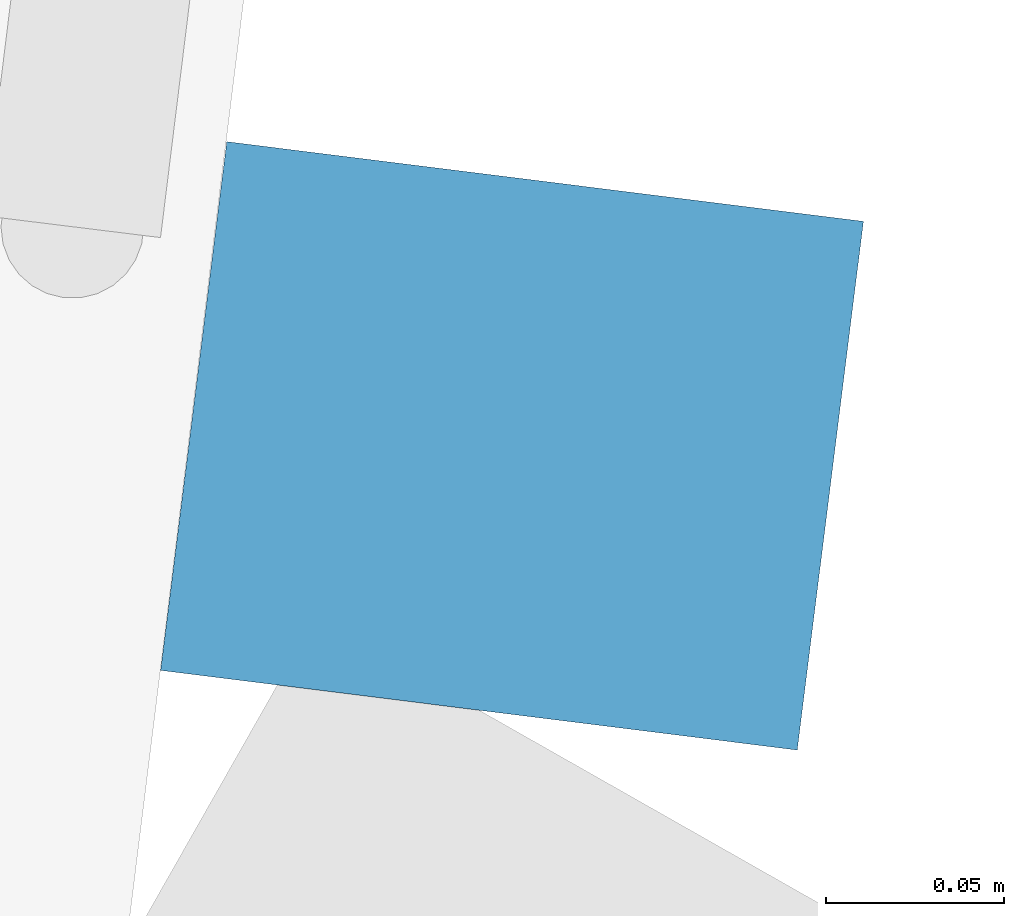
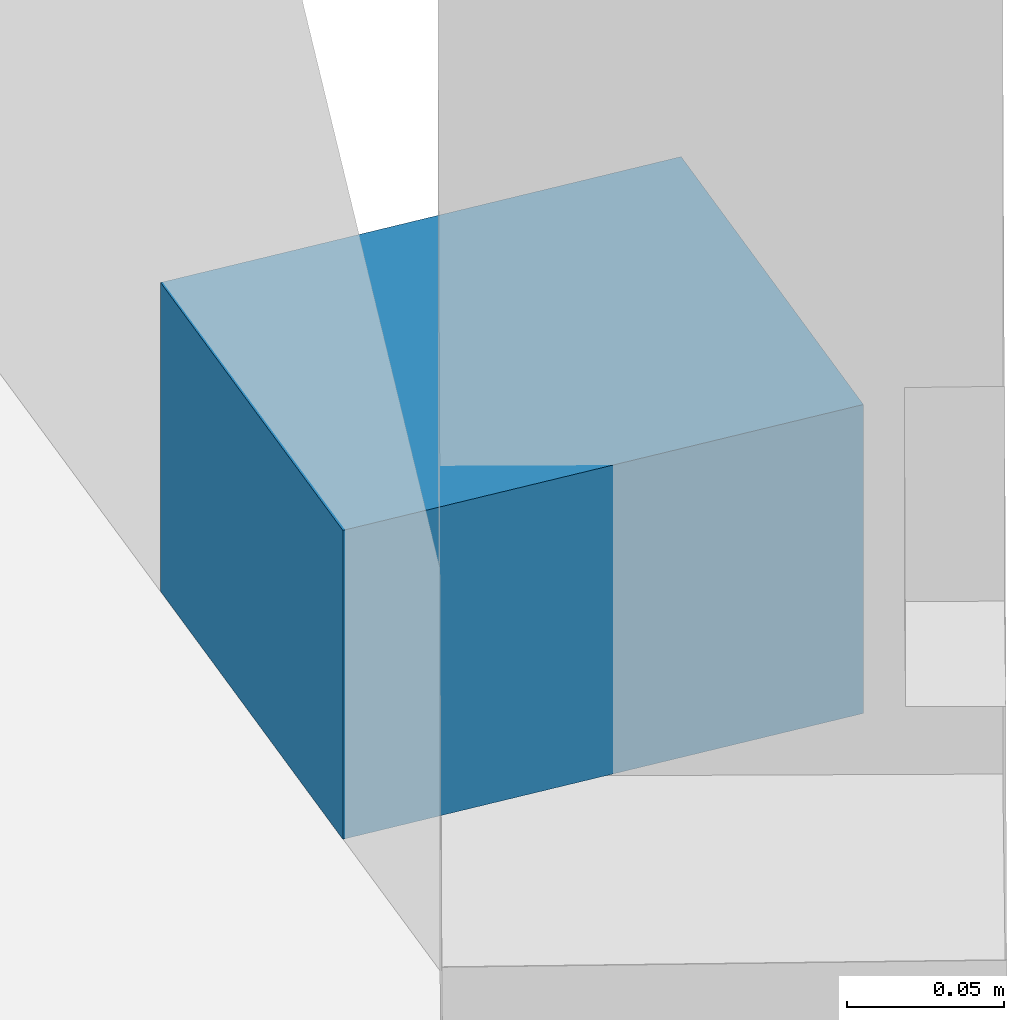
# One storey, part 13 of 24: 1 member, 1 element without a shape of its own.
"""IFC4 building model written with IfcOpenShell, lengths in metres."""

import ifcopenshell
import ifcopenshell.guid

model = None  # the IFC model being written
_history = None  # IfcOwnerHistory: only IFC2X3 demands one
_inside = {}  # id of a spatial element -> (the spatial element, [elements in it])
_under = {}  # id of a project, library or spatial element -> (it, [spatial elements below it])
_declared = {}  # id of a project -> (the project, [libraries it declares])
_typed = {}  # id of a type object -> (the type object, [elements of that type])
_made_of = {}  # id of a material, layer set ... -> (it, [elements and type objects made of it])


def new_model(schema):
    """Start an empty IFC model of exactly this schema.

    Asked for "IFC4X3", IfcOpenShell would pick the latest addendum, in which some entities
    have other attributes; the version numbers below select the first issue.
    IFC2X3 requires an IfcOwnerHistory on every rooted entity: one is made here for all.
    """
    global model, _history
    if schema == "IFC4X3":
        model = ifcopenshell.file(schema_version=(4, 3, 0, 0))
    else:
        model = ifcopenshell.file(schema=schema)
    _inside.clear()
    _under.clear()
    _declared.clear()
    _typed.clear()
    _made_of.clear()
    _history = None
    if model.schema == "IFC2X3":
        org = make("IfcOrganization", Name="unknown")
        user = make(
            "IfcPersonAndOrganization",
            ThePerson=make("IfcPerson", FamilyName="unknown"),
            TheOrganization=org,
        )
        app = make(
            "IfcApplication",
            ApplicationDeveloper=org,
            Version="unknown",
            ApplicationFullName="unknown",
            ApplicationIdentifier="unknown",
        )
        _history = make(
            "IfcOwnerHistory",
            OwningUser=user,
            OwningApplication=app,
            ChangeAction="ADDED",
            CreationDate=0,
        )
    return model


def make(cls, **values):
    """One entity of the class cls with the attributes given. An attribute that is None is left unset."""
    return model.create_entity(
        cls, **{name: value for name, value in values.items() if value is not None}
    )


def rooted(cls, **values):
    """An entity with a GlobalId (a new one), such as an element, a storey or a relation."""
    return make(cls, GlobalId=ifcopenshell.guid.new(), OwnerHistory=_history, **values)


def si_unit(unit_type, name, prefix=None):
    """IfcSIUnit, for example si_unit("LENGTHUNIT", "METRE", prefix="MILLI")."""
    return make("IfcSIUnit", UnitType=unit_type, Prefix=prefix, Name=name)


def assignment(units):
    """IfcUnitAssignment: the units of a project."""
    return None if units is None else make("IfcUnitAssignment", Units=units)


def point(xyz):
    """IfcCartesianPoint."""
    return None if xyz is None else make("IfcCartesianPoint", Coordinates=xyz)


def direction(xyz):
    """IfcDirection."""
    return None if xyz is None else make("IfcDirection", DirectionRatios=xyz)


def frame(location, z_axis=None, x_axis=None):
    """IfcAxis2Placement3D, a coordinate frame: its origin and axes. An axis left out is left unset."""
    return make(
        "IfcAxis2Placement3D",
        Location=point(location),
        Axis=direction(z_axis),
        RefDirection=direction(x_axis),
    )


def frame_2d(location, x_axis=None):
    """IfcAxis2Placement2D, a coordinate frame in the plane: its origin and x axis."""
    return make(
        "IfcAxis2Placement2D", Location=point(location), RefDirection=direction(x_axis)
    )


def origin():
    """The frame at (0, 0, 0) with its axes left unset."""
    return frame((0.0, 0.0, 0.0))


def origin_2d():
    """The frame at (0, 0) in the plane with its x axis left unset."""
    return frame_2d((0.0, 0.0))


def place(relative_to, where):
    """IfcLocalPlacement: puts the frame where relative to a parent placement (None: the world)."""
    return make(
        "IfcLocalPlacement", PlacementRelTo=relative_to, RelativePlacement=where
    )


def context(
    kind, dimensions, precision=None, world=None, true_north=None, identifier=None
):
    """IfcGeometricRepresentationContext, for example the 3D "Model" context."""
    return make(
        "IfcGeometricRepresentationContext",
        ContextIdentifier=identifier,
        ContextType=kind,
        CoordinateSpaceDimension=dimensions,
        Precision=precision,
        WorldCoordinateSystem=world,
        TrueNorth=true_north,
    )


def subcontext(parent, identifier, kind, view, scale=None):
    """IfcGeometricRepresentationSubContext, for example "Body" below "Model"."""
    return make(
        "IfcGeometricRepresentationSubContext",
        ContextIdentifier=identifier,
        ContextType=kind,
        ParentContext=parent,
        TargetScale=scale,
        TargetView=view,
    )


def project(units=None, contexts=None):
    """IfcProject with its units and contexts."""
    return rooted(
        "IfcProject",
        Name="project",
        RepresentationContexts=contexts,
        UnitsInContext=assignment(units),
    )


def spatial(cls, under=None, at=None, **own):
    """A site, building, storey or space (cls), placed at a placement, below another one or the project."""
    s = rooted(cls, ObjectPlacement=at, **own)
    if under is not None:
        _under.setdefault(under.id(), (under, []))[1].append(s)
    return s


def profile(cls, at=None, kind="AREA", **sizes):
    """A parametric profile (cls). Its sizes go by their IFC names, for example OverallWidth=200.0."""
    return make(cls, ProfileType=kind, Position=at, **sizes)


def rectangle(**sizes):
    """IfcRectangleProfileDef."""
    return profile("IfcRectangleProfileDef", **sizes)


def extrude(swept, where, along, depth):
    """IfcExtrudedAreaSolid: the profile swept, set in the frame where, extruded along a direction by depth."""
    return make(
        "IfcExtrudedAreaSolid",
        SweptArea=swept,
        Position=where,
        ExtrudedDirection=direction(along),
        Depth=depth,
    )


def shape(context_of_items, identifier, shape_type, items):
    """IfcShapeRepresentation: the items that make up one representation, for example the "Body"."""
    return make(
        "IfcShapeRepresentation",
        ContextOfItems=context_of_items,
        RepresentationIdentifier=identifier,
        RepresentationType=shape_type,
        Items=items,
    )


def material(Name=None, Category=None):
    """IfcMaterial."""
    return make("IfcMaterial", Name=Name, Category=Category)


def material_profile(
    of_material, cross_section, Name=None, Category=None, Priority=None
):
    """IfcMaterialProfile: a cross section and its material."""
    return make(
        "IfcMaterialProfile",
        Name=Name,
        Material=of_material,
        Profile=cross_section,
        Priority=Priority,
        Category=Category,
    )


def profile_set(profiles, Name=None, composite=None):
    """IfcMaterialProfileSet."""
    return make(
        "IfcMaterialProfileSet",
        Name=Name,
        MaterialProfiles=profiles,
        CompositeProfile=composite,
    )


def made_of(thing, what):
    """Note that an element or type object is made of a material, layer set ...; save() writes the relation."""
    if what is not None:
        _made_of.setdefault(what.id(), (what, []))[1].append(thing)
    return thing


def type_object(cls, material=None, **own):
    """A type object (cls), such as IfcWallType, which elements share."""
    return made_of(rooted(cls, **own), material)


def element(
    cls,
    number,
    at=None,
    inside=None,
    cuts=None,
    type_object=None,
    material=None,
    context=None,
    identifier="Body",
    shape_type=None,
    held_by="IfcProductDefinitionShape",
    body=None,
    shapes=None,
    **own,
):
    """One element of the class cls, such as IfcWall. Its Tag is "e" and its number.

    at: its placement. inside: the storey or other place that contains it. cuts: it is an
    opening in that element (IfcRelVoidsElement). A single representation is given by context,
    identifier, shape_type and body (its items); several are given by shapes. held_by: the class
    of the entity that holds the representations. save() writes the other relations.
    """
    e = rooted(cls, Tag="e%d" % number, ObjectPlacement=at, **own)
    if body is not None:
        shapes = [shape(context, identifier, shape_type, body)]
    if shapes is not None:
        e.Representation = make(held_by, Representations=shapes)
    if inside is not None:
        _inside.setdefault(inside.id(), (inside, []))[1].append(e)
    if cuts is not None:
        rooted(
            "IfcRelVoidsElement", RelatingBuildingElement=cuts, RelatedOpeningElement=e
        )
    if type_object is not None:
        _typed.setdefault(type_object.id(), (type_object, []))[1].append(e)
    return made_of(e, material)


def aggregate(whole, parts):
    """IfcRelAggregates: a whole, such as a stair, and the parts it consists of."""
    return rooted("IfcRelAggregates", RelatingObject=whole, RelatedObjects=parts)


def save(model, path):
    """Write the relations noted so far, then the file.

    IfcRelAggregates (storeys below a building ...), IfcRelContainedInSpatialStructure (elements
    in a storey), IfcRelDefinesByType, IfcRelAssociatesMaterial and IfcRelDeclares: one each for
    every whole, place, type object, material and project.
    """
    for whole, parts in _under.values():
        aggregate(whole, parts)
    for where, things in _inside.values():
        rooted(
            "IfcRelContainedInSpatialStructure",
            RelatedElements=things,
            RelatingStructure=where,
        )
    for kind, things in _typed.values():
        rooted("IfcRelDefinesByType", RelatedObjects=things, RelatingType=kind)
    for what, things in _made_of.values():
        rooted("IfcRelAssociatesMaterial", RelatedObjects=things, RelatingMaterial=what)
    for by, libraries in _declared.values():
        rooted("IfcRelDeclares", RelatingContext=by, RelatedDefinitions=libraries)
    model.write(path)


model = new_model("IFC4")

# Units and contexts
model_context = context("Model", 3, precision=1e-05, world=origin(), true_north=direction((0.0, 1.0)))
body_context = subcontext(model_context, "Body", "Model", "MODEL_VIEW")
ifc_project = project(units=[si_unit("LENGTHUNIT", "METRE"), si_unit("AREAUNIT", "SQUARE_METRE"), si_unit("VOLUMEUNIT", "CUBIC_METRE"), si_unit("PLANEANGLEUNIT", "RADIAN"), si_unit("MASSUNIT", "GRAM", prefix="KILO")], contexts=[model_context])

# Site, building, storey
site_placement = place(None, origin())
site = spatial("IfcSite", under=ifc_project, at=site_placement, CompositionType="ELEMENT")
building_placement = place(site_placement, origin())
building = spatial("IfcBuilding", under=site, at=building_placement, Name="Orlundy Tower", CompositionType="ELEMENT")
storey_placement = place(building_placement, frame((0.0, 0.0, 242.5)))
storey = spatial("IfcBuildingStorey", under=building, at=storey_placement, Name="L64", CompositionType="ELEMENT", Elevation=242.5)

# Curtain wall, member
ifc_material_1 = material(Name="Aluminium bronze anodised", Category="aluminium")
curtain_wall_type = type_object("IfcCurtainWallType", Name="CW1 wall", PredefinedType="NOTDEFINED", material=ifc_material_1)
curtain_wall_placement = place(storey_placement, origin())
curtain_wall = element("IfcCurtainWall", 1, at=curtain_wall_placement, inside=storey, type_object=curtain_wall_type, Name="CW1 run 03", PredefinedType="NOTDEFINED")
ifc_material_2 = material(Name="Aluminium bronze anodised", Category="aluminium")
ifc_material_profile = material_profile(ifc_material_2, rectangle(XDim=0.179931640625, YDim=0.1201171875, at=origin_2d()), Name="CW1 transom 180x120")
ifc_profile_set = profile_set([ifc_material_profile], Name="Aluminium bronze anodised")
member_type = type_object("IfcMemberType", Name="CW1 transom 180x120", PredefinedType="USERDEFINED", material=ifc_profile_set)
member_placement = place(storey_placement, frame((21.78759765625, -31.929931640625, -0.340087890625), z_axis=(-0.124235923819, -0.992252707345, 0.0), x_axis=(0.992252707345, -0.124235923819, 0.0)))
member = element("IfcMember", 2, at=member_placement, type_object=member_type, Name="CW1 transom", ObjectType="TRANSOM", PredefinedType="USERDEFINED", context=body_context, shape_type="SweptSolid", body=[
    extrude(rectangle(XDim=0.179931640625, YDim=0.1201171875, at=origin_2d()), origin(), (0.0, 0.0, 1.0), 0.1494140625),
])
aggregate(curtain_wall, [member])

save(model, "model.ifc")
